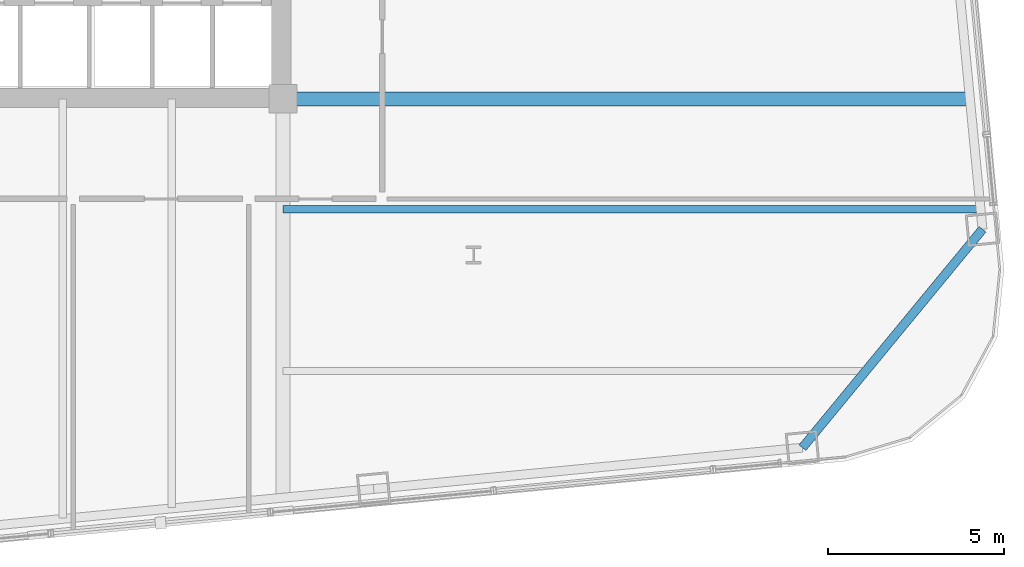
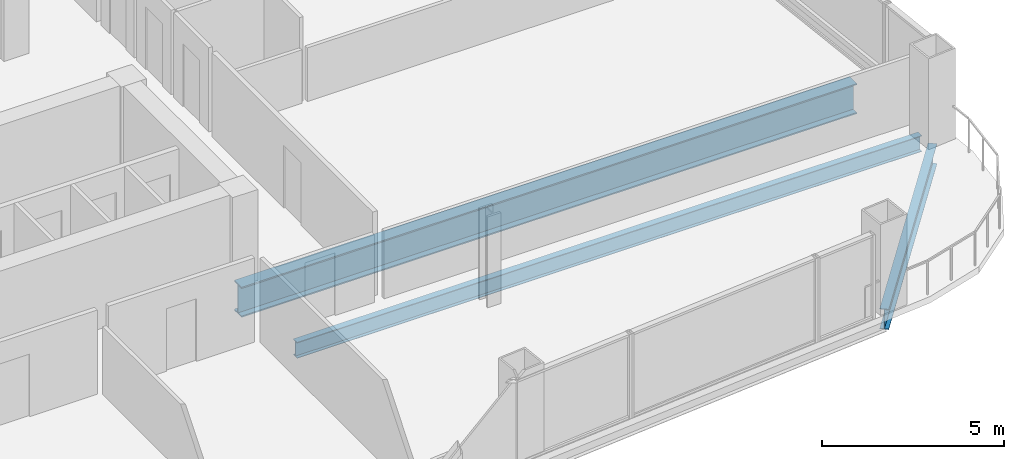
# One storey, part 14 of 34: 3 beams.
"""IFC4 building model written with IfcOpenShell, lengths in metres."""

from ifc_helpers import new_model, si_unit, direction, frame, origin, origin_2d, place, context, subcontext, project, spatial, i_section, extrude, material, material_profile, profile_set, type_object, element, save


model = new_model("IFC4")

# Units and contexts
model_context = context("Model", 3, precision=1e-05, world=origin(), true_north=direction((0.0, 1.0)))
body_context = subcontext(model_context, "Body", "Model", "MODEL_VIEW")
ifc_project = project(units=[si_unit("LENGTHUNIT", "METRE"), si_unit("AREAUNIT", "SQUARE_METRE"), si_unit("VOLUMEUNIT", "CUBIC_METRE"), si_unit("PLANEANGLEUNIT", "RADIAN"), si_unit("MASSUNIT", "GRAM", prefix="KILO")], contexts=[model_context])

# Site, building, storey
site_placement = place(None, origin())
site = spatial("IfcSite", under=ifc_project, at=site_placement, CompositionType="ELEMENT")
building_placement = place(site_placement, origin())
building = spatial("IfcBuilding", under=site, at=building_placement, Name="Qhalaya Broadcast Tower", CompositionType="ELEMENT")
storey_placement = place(building_placement, frame((0.0, 0.0, 78.60009765625)))
storey = spatial("IfcBuildingStorey", under=building, at=storey_placement, Name="L22", CompositionType="ELEMENT", Elevation=78.60009765625)

# Beams
ifc_material = material(Name="Structural Steel ASTM A992 Grade 50", Category="steel")
ifc_material_profile_1 = material_profile(ifc_material, i_section(OverallWidth=0.2099609375, OverallDepth=0.535888671875, WebThickness=0.010986328125, FlangeThickness=0.017333984375, at=origin_2d()), Name="W21X68")
ifc_profile_set_1 = profile_set([ifc_material_profile_1], Name="Structural Steel ASTM A992 Grade 50")
beam_type_1 = type_object("IfcBeamType", Name="Composite Floor Joist J02", PredefinedType="JOIST", material=ifc_profile_set_1)
beam_1_placement = place(storey_placement, frame((9.375, -11.89990234375, -0.488037109375), z_axis=(1.0, 0.0, 0.0), x_axis=(0.0, 1.0, 0.0)))
element("IfcBeam", 1, at=beam_1_placement, inside=storey, type_object=beam_type_1, Name="L22 J02 L22-JWE2E-1", PredefinedType="JOIST", context=body_context, shape_type="SweptSolid", body=[
    extrude(i_section(OverallWidth=0.2099609375, OverallDepth=0.535888671875, WebThickness=0.010986328125, FlangeThickness=0.017333984375, at=origin_2d()), origin(), (0.0, 0.0, 1.0), 19.843017578125),
])
ifc_material_profile_2 = material_profile(ifc_material, i_section(OverallWidth=0.40087890625, OverallDepth=1.010986328125, WebThickness=0.023681640625, FlangeThickness=0.0419921875, at=origin_2d()), Name="W40X297")
ifc_profile_set_2 = profile_set([ifc_material_profile_2], Name="Structural Steel ASTM A992 Grade 50")
beam_type_2 = type_object("IfcBeamType", Name="Lower Block Primary Girder PG2", PredefinedType="USERDEFINED", material=ifc_profile_set_2)
beam_2_placement = place(storey_placement, frame((9.375, -8.75, -0.7255859375), z_axis=(1.0, 0.0, 0.0), x_axis=(0.0, 1.0, 0.0)))
element("IfcBeam", 2, at=beam_2_placement, inside=storey, type_object=beam_type_2, Name="L22 PG2 L22-PGYE1-1", ObjectType="GIRDER", PredefinedType="USERDEFINED", context=body_context, shape_type="SweptSolid", body=[
    extrude(i_section(OverallWidth=0.40087890625, OverallDepth=1.010986328125, WebThickness=0.023681640625, FlangeThickness=0.0419921875, at=origin_2d()), origin(), (0.0, 0.0, 1.0), 19.539794921875),
])
ifc_material_profile_3 = material_profile(ifc_material, i_section(OverallWidth=0.25390625, OverallDepth=0.68310546875, WebThickness=0.012451171875, FlangeThickness=0.01904296875, at=origin_2d()), Name="W27X94")
ifc_profile_set_3 = profile_set([ifc_material_profile_3], Name="Structural Steel ASTM A992 Grade 50")
beam_type_3 = type_object("IfcBeamType", Name="Perimeter Ring Spandrel Beam SP1", PredefinedType="SPANDREL", material=ifc_profile_set_3)
beam_3_placement = place(storey_placement, frame((24.165283203125, -18.685546875, -0.5615234375), z_axis=(0.636052208619, 0.771646025008, 0.0), x_axis=(-0.771646025008, 0.636052208619, 0.0)))
element("IfcBeam", 3, at=beam_3_placement, inside=storey, type_object=beam_type_3, Name="L22 SP1 L22-SPR-04", PredefinedType="SPANDREL", context=body_context, shape_type="SweptSolid", body=[
    extrude(i_section(OverallWidth=0.25390625, OverallDepth=0.68310546875, WebThickness=0.012451171875, FlangeThickness=0.01904296875, at=origin_2d()), origin(), (0.0, 0.0, 1.0), 8.06103515625),
])

save(model, "model.ifc")
